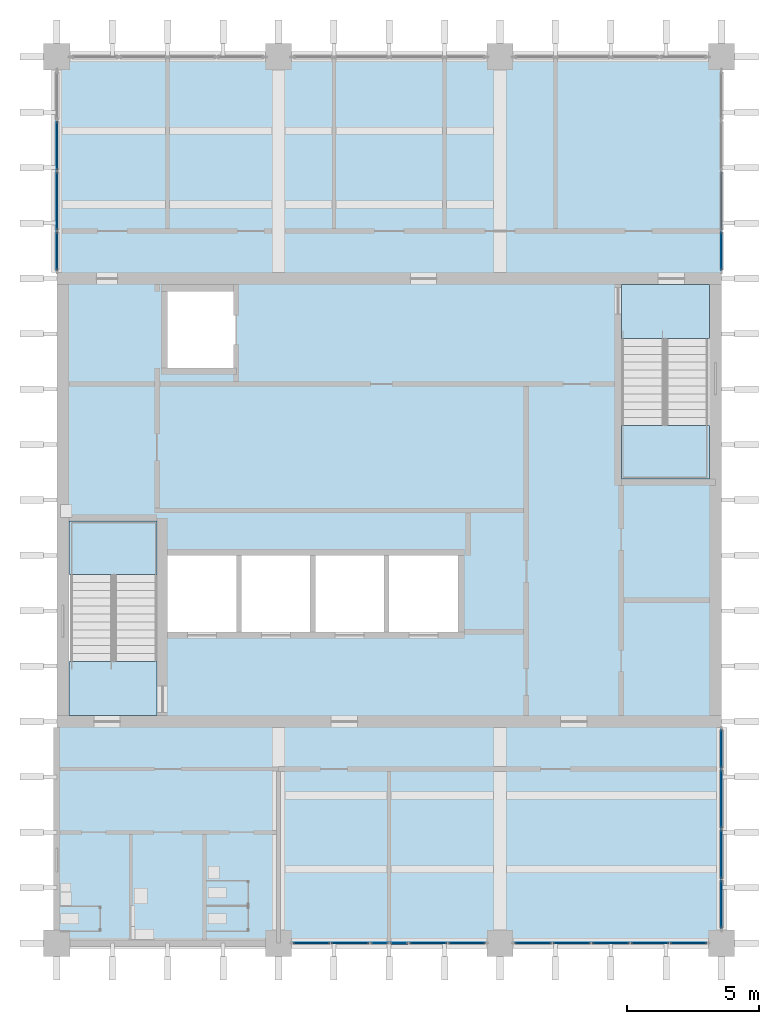
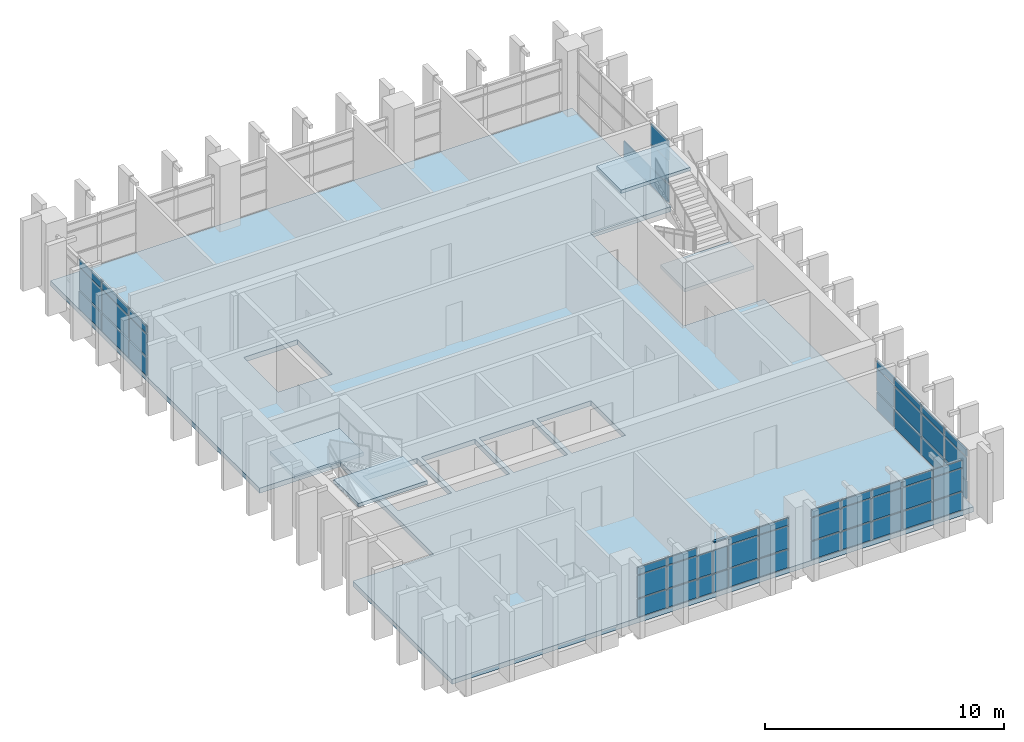
# One storey, part 5 of 11: 56 plates, 5 slabs, 1 member, 7 elements without a shape of their own.
"""IFC4 building model written with IfcOpenShell, lengths in metres."""

from ifc_helpers import new_model, si_unit, direction, frame, origin, origin_2d, place, context, subcontext, project, spatial, polyline, rectangle, outline, extrude, material, layer, layer_set, material_profile, profile_set, type_object, element, aggregate, save


model = new_model("IFC4")

# Units and contexts
model_context = context("Model", 3, precision=1e-05, world=origin(), true_north=direction((0.0, 1.0)))
body_context = subcontext(model_context, "Body", "Model", "MODEL_VIEW")
ifc_project = project(units=[si_unit("LENGTHUNIT", "METRE"), si_unit("AREAUNIT", "SQUARE_METRE"), si_unit("VOLUMEUNIT", "CUBIC_METRE"), si_unit("PLANEANGLEUNIT", "RADIAN"), si_unit("MASSUNIT", "GRAM", prefix="KILO")], contexts=[model_context])

# Site, building, storey
site_placement = place(None, origin())
site = spatial("IfcSite", under=ifc_project, at=site_placement, CompositionType="ELEMENT")
building_placement = place(site_placement, origin())
building = spatial("IfcBuilding", under=site, at=building_placement, Name="Rulbaag Community and Learning Centre", CompositionType="ELEMENT")
storey_placement = place(building_placement, frame((0.0, 0.0, 21.60009765625)))
storey = spatial("IfcBuildingStorey", under=building, at=storey_placement, Name="L05", CompositionType="ELEMENT", Elevation=21.60009765625)

# Curtain wall, member, plates
ifc_material_1 = material(Name="Aluminium", Category="aluminium")
ifc_layer_1 = layer(ifc_material_1, 0.14990234375)
ifc_layer_set_1 = layer_set([ifc_layer_1], Name="CW-S")
curtain_wall_type_1 = type_object("IfcCurtainWallType", Name="CW-S", PredefinedType="USERDEFINED", material=ifc_layer_set_1)
curtain_wall_1_placement = place(storey_placement, origin())
curtain_wall_1 = element("IfcCurtainWall", 1, at=curtain_wall_1_placement, inside=storey, type_object=curtain_wall_type_1, Name="GS-L05-01", ObjectType="UNITISED CURTAIN WALL", PredefinedType="USERDEFINED")
ifc_material_2 = material(Name="Aluminium transom", Category="aluminium")
ifc_material_profile = material_profile(ifc_material_2, rectangle(XDim=0.125, YDim=0.06005859375, at=origin_2d()), Name="AL 60x125 T")
ifc_profile_set = profile_set([ifc_material_profile], Name="Aluminium transom")
member_type = type_object("IfcMemberType", Name="CW-S-TRN", PredefinedType="USERDEFINED", material=ifc_profile_set)
member_placement = place(storey_placement, frame((155.429931640625, 84.0, 2.619873046875), z_axis=(1.0, 0.0, 0.0), x_axis=(0.0, 1.0, 0.0)))
member = element("IfcMember", 2, at=member_placement, type_object=member_type, Name="GS transom 4.4", ObjectType="TRANSOM", PredefinedType="USERDEFINED", context=body_context, shape_type="SweptSolid", body=[
    extrude(rectangle(XDim=0.125, YDim=0.06005859375, at=origin_2d()), origin(), (0.0, 0.0, 1.0), 0.68017578125),
])
ifc_layer_2 = layer(ifc_material_1, 0.054931640625)
ifc_layer_set_2 = layer_set([ifc_layer_2], Name="CW-S-SPN")
plate_type_1 = type_object("IfcPlateType", Name="CW-S-SPN", PredefinedType="CURTAIN_PANEL", material=ifc_layer_set_2)
plate_1_placement = place(storey_placement, frame((152.455078125, 84.0, 0.06005859375), z_axis=(0.0, 0.0, 1.0), x_axis=(1.0, 0.0, 0.0)))
plate_1 = element("IfcPlate", 3, at=plate_1_placement, type_object=plate_type_1, Name="GS spandrel panel", PredefinedType="CURTAIN_PANEL", context=body_context, shape_type="SweptSolid", body=[
    extrude(rectangle(XDim=1.389892578125, YDim=0.054931640625, at=origin_2d()), origin(), (0.0, 0.0, 1.0), 0.909912109375),
])
plate_2_placement = place(storey_placement, frame((152.455078125, 84.0, 2.22998046875), z_axis=(0.0, 0.0, 1.0), x_axis=(1.0, 0.0, 0.0)))
plate_2 = element("IfcPlate", 4, at=plate_2_placement, type_object=plate_type_1, Name="GS spandrel panel", PredefinedType="CURTAIN_PANEL", context=body_context, shape_type="SweptSolid", body=[
    extrude(rectangle(XDim=1.389892578125, YDim=0.054931640625, at=origin_2d()), origin(), (0.0, 0.0, 1.0), 0.360107421875),
])
plate_3_placement = place(storey_placement, frame((153.919921875, 84.0, 0.06005859375), z_axis=(0.0, 0.0, 1.0), x_axis=(1.0, 0.0, 0.0)))
plate_3 = element("IfcPlate", 5, at=plate_3_placement, type_object=plate_type_1, Name="GS spandrel panel", PredefinedType="CURTAIN_PANEL", context=body_context, shape_type="SweptSolid", body=[
    extrude(rectangle(XDim=1.419921875, YDim=0.054931640625, at=origin_2d()), origin(), (0.0, 0.0, 1.0), 0.909912109375),
])
plate_4_placement = place(storey_placement, frame((153.919921875, 84.0, 2.22998046875), z_axis=(0.0, 0.0, 1.0), x_axis=(1.0, 0.0, 0.0)))
plate_4 = element("IfcPlate", 6, at=plate_4_placement, type_object=plate_type_1, Name="GS spandrel panel", PredefinedType="CURTAIN_PANEL", context=body_context, shape_type="SweptSolid", body=[
    extrude(rectangle(XDim=1.419921875, YDim=0.054931640625, at=origin_2d()), origin(), (0.0, 0.0, 1.0), 0.360107421875),
])
plate_5_placement = place(storey_placement, frame((155.030029296875, 84.0, 0.06005859375), z_axis=(0.0, 0.0, 1.0), x_axis=(1.0, 0.0, 0.0)))
plate_5 = element("IfcPlate", 7, at=plate_5_placement, type_object=plate_type_1, Name="GS spandrel panel", PredefinedType="CURTAIN_PANEL", context=body_context, shape_type="SweptSolid", body=[
    extrude(rectangle(XDim=0.679931640625, YDim=0.054931640625, at=origin_2d()), origin(), (0.0, 0.0, 1.0), 0.909912109375),
])
plate_6_placement = place(storey_placement, frame((155.77001953125, 84.0, 0.06005859375), z_axis=(0.0, 0.0, 1.0), x_axis=(1.0, 0.0, 0.0)))
plate_6 = element("IfcPlate", 8, at=plate_6_placement, type_object=plate_type_1, Name="GS spandrel panel", PredefinedType="CURTAIN_PANEL", context=body_context, shape_type="SweptSolid", body=[
    extrude(rectangle(XDim=0.679931640625, YDim=0.054931640625, at=origin_2d()), origin(), (0.0, 0.0, 1.0), 0.909912109375),
])
plate_7_placement = place(storey_placement, frame((156.8798828125, 84.0, 0.06005859375), z_axis=(0.0, 0.0, 1.0), x_axis=(1.0, 0.0, 0.0)))
plate_7 = element("IfcPlate", 9, at=plate_7_placement, type_object=plate_type_1, Name="GS spandrel panel", PredefinedType="CURTAIN_PANEL", context=body_context, shape_type="SweptSolid", body=[
    extrude(rectangle(XDim=1.419921875, YDim=0.054931640625, at=origin_2d()), origin(), (0.0, 0.0, 1.0), 0.909912109375),
])
plate_8_placement = place(storey_placement, frame((156.8798828125, 84.0, 2.22998046875), z_axis=(0.0, 0.0, 1.0), x_axis=(1.0, 0.0, 0.0)))
plate_8 = element("IfcPlate", 10, at=plate_8_placement, type_object=plate_type_1, Name="GS spandrel panel", PredefinedType="CURTAIN_PANEL", context=body_context, shape_type="SweptSolid", body=[
    extrude(rectangle(XDim=1.419921875, YDim=0.054931640625, at=origin_2d()), origin(), (0.0, 0.0, 1.0), 0.360107421875),
])
plate_9_placement = place(storey_placement, frame((158.344970703125, 84.0, 0.06005859375), z_axis=(0.0, 0.0, 1.0), x_axis=(1.0, 0.0, 0.0)))
plate_9 = element("IfcPlate", 11, at=plate_9_placement, type_object=plate_type_1, Name="GS spandrel panel", PredefinedType="CURTAIN_PANEL", context=body_context, shape_type="SweptSolid", body=[
    extrude(rectangle(XDim=1.389892578125, YDim=0.054931640625, at=origin_2d()), origin(), (0.0, 0.0, 1.0), 0.909912109375),
])
plate_10_placement = place(storey_placement, frame((158.344970703125, 84.0, 2.22998046875), z_axis=(0.0, 0.0, 1.0), x_axis=(1.0, 0.0, 0.0)))
plate_10 = element("IfcPlate", 12, at=plate_10_placement, type_object=plate_type_1, Name="GS spandrel panel", PredefinedType="CURTAIN_PANEL", context=body_context, shape_type="SweptSolid", body=[
    extrude(rectangle(XDim=1.389892578125, YDim=0.054931640625, at=origin_2d()), origin(), (0.0, 0.0, 1.0), 0.360107421875),
])

# Curtain wall, plates
curtain_wall_2_placement = place(storey_placement, origin())
curtain_wall_2 = element("IfcCurtainWall", 13, at=curtain_wall_2_placement, inside=storey, type_object=curtain_wall_type_1, Name="GS-L05-02", ObjectType="UNITISED CURTAIN WALL", PredefinedType="USERDEFINED")
plate_11_placement = place(storey_placement, frame((160.85498046875, 84.0, 0.06005859375), z_axis=(0.0, 0.0, 1.0), x_axis=(1.0, 0.0, 0.0)))
plate_11 = element("IfcPlate", 14, at=plate_11_placement, type_object=plate_type_1, Name="GS spandrel panel", PredefinedType="CURTAIN_PANEL", context=body_context, shape_type="SweptSolid", body=[
    extrude(rectangle(XDim=1.389892578125, YDim=0.054931640625, at=origin_2d()), origin(), (0.0, 0.0, 1.0), 0.909912109375),
])
plate_12_placement = place(storey_placement, frame((160.85498046875, 84.0, 2.22998046875), z_axis=(0.0, 0.0, 1.0), x_axis=(1.0, 0.0, 0.0)))
plate_12 = element("IfcPlate", 15, at=plate_12_placement, type_object=plate_type_1, Name="GS spandrel panel", PredefinedType="CURTAIN_PANEL", context=body_context, shape_type="SweptSolid", body=[
    extrude(rectangle(XDim=1.389892578125, YDim=0.054931640625, at=origin_2d()), origin(), (0.0, 0.0, 1.0), 0.360107421875),
])
plate_13_placement = place(storey_placement, frame((162.320068359375, 84.0, 0.06005859375), z_axis=(0.0, 0.0, 1.0), x_axis=(1.0, 0.0, 0.0)))
plate_13 = element("IfcPlate", 16, at=plate_13_placement, type_object=plate_type_1, Name="GS spandrel panel", PredefinedType="CURTAIN_PANEL", context=body_context, shape_type="SweptSolid", body=[
    extrude(rectangle(XDim=1.419921875, YDim=0.054931640625, at=origin_2d()), origin(), (0.0, 0.0, 1.0), 0.909912109375),
])
plate_14_placement = place(storey_placement, frame((162.320068359375, 84.0, 2.22998046875), z_axis=(0.0, 0.0, 1.0), x_axis=(1.0, 0.0, 0.0)))
plate_14 = element("IfcPlate", 17, at=plate_14_placement, type_object=plate_type_1, Name="GS spandrel panel", PredefinedType="CURTAIN_PANEL", context=body_context, shape_type="SweptSolid", body=[
    extrude(rectangle(XDim=1.419921875, YDim=0.054931640625, at=origin_2d()), origin(), (0.0, 0.0, 1.0), 0.360107421875),
])
plate_15_placement = place(storey_placement, frame((163.800048828125, 84.0, 0.06005859375), z_axis=(0.0, 0.0, 1.0), x_axis=(1.0, 0.0, 0.0)))
plate_15 = element("IfcPlate", 18, at=plate_15_placement, type_object=plate_type_1, Name="GS spandrel panel", PredefinedType="CURTAIN_PANEL", context=body_context, shape_type="SweptSolid", body=[
    extrude(rectangle(XDim=1.419921875, YDim=0.054931640625, at=origin_2d()), origin(), (0.0, 0.0, 1.0), 0.909912109375),
])
plate_16_placement = place(storey_placement, frame((163.800048828125, 84.0, 2.22998046875), z_axis=(0.0, 0.0, 1.0), x_axis=(1.0, 0.0, 0.0)))
plate_16 = element("IfcPlate", 19, at=plate_16_placement, type_object=plate_type_1, Name="GS spandrel panel", PredefinedType="CURTAIN_PANEL", context=body_context, shape_type="SweptSolid", body=[
    extrude(rectangle(XDim=1.419921875, YDim=0.054931640625, at=origin_2d()), origin(), (0.0, 0.0, 1.0), 0.360107421875),
])
plate_17_placement = place(storey_placement, frame((165.280029296875, 84.0, 0.06005859375), z_axis=(0.0, 0.0, 1.0), x_axis=(1.0, 0.0, 0.0)))
plate_17 = element("IfcPlate", 20, at=plate_17_placement, type_object=plate_type_1, Name="GS spandrel panel", PredefinedType="CURTAIN_PANEL", context=body_context, shape_type="SweptSolid", body=[
    extrude(rectangle(XDim=1.419921875, YDim=0.054931640625, at=origin_2d()), origin(), (0.0, 0.0, 1.0), 0.909912109375),
])
plate_18_placement = place(storey_placement, frame((165.280029296875, 84.0, 2.22998046875), z_axis=(0.0, 0.0, 1.0), x_axis=(1.0, 0.0, 0.0)))
plate_18 = element("IfcPlate", 21, at=plate_18_placement, type_object=plate_type_1, Name="GS spandrel panel", PredefinedType="CURTAIN_PANEL", context=body_context, shape_type="SweptSolid", body=[
    extrude(rectangle(XDim=1.419921875, YDim=0.054931640625, at=origin_2d()), origin(), (0.0, 0.0, 1.0), 0.360107421875),
])
plate_19_placement = place(storey_placement, frame((166.7451171875, 84.0, 0.06005859375), z_axis=(0.0, 0.0, 1.0), x_axis=(1.0, 0.0, 0.0)))
plate_19 = element("IfcPlate", 22, at=plate_19_placement, type_object=plate_type_1, Name="GS spandrel panel", PredefinedType="CURTAIN_PANEL", context=body_context, shape_type="SweptSolid", body=[
    extrude(rectangle(XDim=1.389892578125, YDim=0.054931640625, at=origin_2d()), origin(), (0.0, 0.0, 1.0), 0.909912109375),
])
plate_20_placement = place(storey_placement, frame((166.7451171875, 84.0, 2.22998046875), z_axis=(0.0, 0.0, 1.0), x_axis=(1.0, 0.0, 0.0)))
plate_20 = element("IfcPlate", 23, at=plate_20_placement, type_object=plate_type_1, Name="GS spandrel panel", PredefinedType="CURTAIN_PANEL", context=body_context, shape_type="SweptSolid", body=[
    extrude(rectangle(XDim=1.389892578125, YDim=0.054931640625, at=origin_2d()), origin(), (0.0, 0.0, 1.0), 0.360107421875),
])

# Plate
ifc_material_3 = material(Name="Glass", Category="glass")
ifc_layer_3 = layer(ifc_material_3, 0.030029296875)
ifc_layer_set_3 = layer_set([ifc_layer_3], Name="CW-S-VIS")
plate_type_2 = type_object("IfcPlateType", Name="CW-S-VIS", PredefinedType="CURTAIN_PANEL", material=ifc_layer_set_3)
plate_21_placement = place(storey_placement, frame((152.455078125, 84.0, 1.02978515625), z_axis=(0.0, 0.0, 1.0), x_axis=(1.0, 0.0, 0.0)))
plate_21 = element("IfcPlate", 24, at=plate_21_placement, type_object=plate_type_2, Name="GS vision panel", PredefinedType="CURTAIN_PANEL", context=body_context, shape_type="SweptSolid", body=[
    extrude(rectangle(XDim=1.389892578125, YDim=0.030029296875, at=origin_2d()), origin(), (0.0, 0.0, 1.0), 1.139892578125),
])

plate_22_placement = place(storey_placement, frame((153.919921875, 84.0, 1.02978515625), z_axis=(0.0, 0.0, 1.0), x_axis=(1.0, 0.0, 0.0)))
plate_22 = element("IfcPlate", 25, at=plate_22_placement, type_object=plate_type_2, Name="GS vision panel", PredefinedType="CURTAIN_PANEL", context=body_context, shape_type="SweptSolid", body=[
    extrude(rectangle(XDim=1.419921875, YDim=0.030029296875, at=origin_2d()), origin(), (0.0, 0.0, 1.0), 1.139892578125),
])

plate_23_placement = place(storey_placement, frame((155.030029296875, 84.0, 1.02978515625), z_axis=(0.0, 0.0, 1.0), x_axis=(1.0, 0.0, 0.0)))
plate_23 = element("IfcPlate", 26, at=plate_23_placement, type_object=plate_type_2, Name="GS vision panel", PredefinedType="CURTAIN_PANEL", context=body_context, shape_type="SweptSolid", body=[
    extrude(rectangle(XDim=0.679931640625, YDim=0.030029296875, at=origin_2d()), origin(), (0.0, 0.0, 1.0), 1.139892578125),
])

plate_24_placement = place(storey_placement, frame((155.77001953125, 84.0, 1.02978515625), z_axis=(0.0, 0.0, 1.0), x_axis=(1.0, 0.0, 0.0)))
plate_24 = element("IfcPlate", 27, at=plate_24_placement, type_object=plate_type_2, Name="GS vision panel", PredefinedType="CURTAIN_PANEL", context=body_context, shape_type="SweptSolid", body=[
    extrude(rectangle(XDim=0.679931640625, YDim=0.030029296875, at=origin_2d()), origin(), (0.0, 0.0, 1.0), 1.139892578125),
])

plate_25_placement = place(storey_placement, frame((156.8798828125, 84.0, 1.02978515625), z_axis=(0.0, 0.0, 1.0), x_axis=(1.0, 0.0, 0.0)))
plate_25 = element("IfcPlate", 28, at=plate_25_placement, type_object=plate_type_2, Name="GS vision panel", PredefinedType="CURTAIN_PANEL", context=body_context, shape_type="SweptSolid", body=[
    extrude(rectangle(XDim=1.419921875, YDim=0.030029296875, at=origin_2d()), origin(), (0.0, 0.0, 1.0), 1.139892578125),
])

plate_26_placement = place(storey_placement, frame((158.344970703125, 84.0, 1.02978515625), z_axis=(0.0, 0.0, 1.0), x_axis=(1.0, 0.0, 0.0)))
plate_26 = element("IfcPlate", 29, at=plate_26_placement, type_object=plate_type_2, Name="GS vision panel", PredefinedType="CURTAIN_PANEL", context=body_context, shape_type="SweptSolid", body=[
    extrude(rectangle(XDim=1.389892578125, YDim=0.030029296875, at=origin_2d()), origin(), (0.0, 0.0, 1.0), 1.139892578125),
])

aggregate(curtain_wall_1, [plate_1, plate_21, plate_2, plate_3, plate_22, plate_4, plate_5, plate_23, member, plate_6, plate_24, plate_7, plate_25, plate_8, plate_9, plate_26, plate_10])

plate_27_placement = place(storey_placement, frame((160.85498046875, 84.0, 1.02978515625), z_axis=(0.0, 0.0, 1.0), x_axis=(1.0, 0.0, 0.0)))
plate_27 = element("IfcPlate", 30, at=plate_27_placement, type_object=plate_type_2, Name="GS vision panel", PredefinedType="CURTAIN_PANEL", context=body_context, shape_type="SweptSolid", body=[
    extrude(rectangle(XDim=1.389892578125, YDim=0.030029296875, at=origin_2d()), origin(), (0.0, 0.0, 1.0), 1.139892578125),
])

plate_28_placement = place(storey_placement, frame((162.320068359375, 84.0, 1.02978515625), z_axis=(0.0, 0.0, 1.0), x_axis=(1.0, 0.0, 0.0)))
plate_28 = element("IfcPlate", 31, at=plate_28_placement, type_object=plate_type_2, Name="GS vision panel", PredefinedType="CURTAIN_PANEL", context=body_context, shape_type="SweptSolid", body=[
    extrude(rectangle(XDim=1.419921875, YDim=0.030029296875, at=origin_2d()), origin(), (0.0, 0.0, 1.0), 1.139892578125),
])

plate_29_placement = place(storey_placement, frame((163.800048828125, 84.0, 1.02978515625), z_axis=(0.0, 0.0, 1.0), x_axis=(1.0, 0.0, 0.0)))
plate_29 = element("IfcPlate", 32, at=plate_29_placement, type_object=plate_type_2, Name="GS vision panel", PredefinedType="CURTAIN_PANEL", context=body_context, shape_type="SweptSolid", body=[
    extrude(rectangle(XDim=1.419921875, YDim=0.030029296875, at=origin_2d()), origin(), (0.0, 0.0, 1.0), 1.139892578125),
])

plate_30_placement = place(storey_placement, frame((165.280029296875, 84.0, 1.02978515625), z_axis=(0.0, 0.0, 1.0), x_axis=(1.0, 0.0, 0.0)))
plate_30 = element("IfcPlate", 33, at=plate_30_placement, type_object=plate_type_2, Name="GS vision panel", PredefinedType="CURTAIN_PANEL", context=body_context, shape_type="SweptSolid", body=[
    extrude(rectangle(XDim=1.419921875, YDim=0.030029296875, at=origin_2d()), origin(), (0.0, 0.0, 1.0), 1.139892578125),
])

plate_31_placement = place(storey_placement, frame((166.7451171875, 84.0, 1.02978515625), z_axis=(0.0, 0.0, 1.0), x_axis=(1.0, 0.0, 0.0)))
plate_31 = element("IfcPlate", 34, at=plate_31_placement, type_object=plate_type_2, Name="GS vision panel", PredefinedType="CURTAIN_PANEL", context=body_context, shape_type="SweptSolid", body=[
    extrude(rectangle(XDim=1.389892578125, YDim=0.030029296875, at=origin_2d()), origin(), (0.0, 0.0, 1.0), 1.139892578125),
])

aggregate(curtain_wall_2, [plate_11, plate_27, plate_12, plate_13, plate_28, plate_14, plate_15, plate_29, plate_16, plate_17, plate_30, plate_18, plate_19, plate_31, plate_20])

# Curtain wall, plates
ifc_layer_4 = layer(ifc_material_1, 0.14990234375)
ifc_layer_set_4 = layer_set([ifc_layer_4], Name="CW-T")
curtain_wall_type_2 = type_object("IfcCurtainWallType", Name="CW-T", PredefinedType="USERDEFINED", material=ifc_layer_set_4)
curtain_wall_3_placement = place(storey_placement, origin())
curtain_wall_3 = element("IfcCurtainWall", 35, at=curtain_wall_3_placement, inside=storey, type_object=curtain_wall_type_2, Name="GT-L05-04", ObjectType="UNITISED CURTAIN WALL", PredefinedType="USERDEFINED")
ifc_layer_5 = layer(ifc_material_1, 0.06005859375)
ifc_layer_set_5 = layer_set([ifc_layer_5], Name="CW-T-SPN")
plate_type_3 = type_object("IfcPlateType", Name="CW-T-SPN", PredefinedType="CURTAIN_PANEL", material=ifc_layer_set_5)
plate_32_placement = place(storey_placement, frame((142.800048828125, 110.2412109375, 0.06494140625), z_axis=(0.0, 0.0, 1.0), x_axis=(0.0, 1.0, 0.0)))
plate_32 = element("IfcPlate", 36, at=plate_32_placement, type_object=plate_type_3, Name="GT spandrel panel", PredefinedType="CURTAIN_PANEL", context=body_context, shape_type="SweptSolid", body=[
    extrude(rectangle(XDim=1.452392578125, YDim=0.06005859375, at=origin_2d()), origin(), (0.0, 0.0, 1.0), 0.902587890625),
])
plate_33_placement = place(storey_placement, frame((142.800048828125, 110.2412109375, 2.232421875), z_axis=(0.0, 0.0, 1.0), x_axis=(0.0, 1.0, 0.0)))
plate_33 = element("IfcPlate", 37, at=plate_33_placement, type_object=plate_type_3, Name="GT spandrel panel", PredefinedType="CURTAIN_PANEL", context=body_context, shape_type="SweptSolid", body=[
    extrude(rectangle(XDim=1.452392578125, YDim=0.06005859375, at=origin_2d()), origin(), (0.0, 0.0, 1.0), 0.3525390625),
])
plate_34_placement = place(storey_placement, frame((142.800048828125, 112.137451171875, 0.06494140625), z_axis=(0.0, 0.0, 1.0), x_axis=(0.0, 1.0, 0.0)))
plate_34 = element("IfcPlate", 38, at=plate_34_placement, type_object=plate_type_3, Name="GT spandrel panel", PredefinedType="CURTAIN_PANEL", context=body_context, shape_type="SweptSolid", body=[
    extrude(rectangle(XDim=2.2099609375, YDim=0.06005859375, at=origin_2d()), origin(), (0.0, 0.0, 1.0), 0.902587890625),
])
plate_35_placement = place(storey_placement, frame((142.800048828125, 112.137451171875, 2.232421875), z_axis=(0.0, 0.0, 1.0), x_axis=(0.0, 1.0, 0.0)))
plate_35 = element("IfcPlate", 39, at=plate_35_placement, type_object=plate_type_3, Name="GT spandrel panel", PredefinedType="CURTAIN_PANEL", context=body_context, shape_type="SweptSolid", body=[
    extrude(rectangle(XDim=2.2099609375, YDim=0.06005859375, at=origin_2d()), origin(), (0.0, 0.0, 1.0), 0.3525390625),
])
plate_36_placement = place(storey_placement, frame((142.800048828125, 114.231201171875, 0.06494140625), z_axis=(0.0, 0.0, 1.0), x_axis=(0.0, 1.0, 0.0)))
plate_36 = element("IfcPlate", 40, at=plate_36_placement, type_object=plate_type_3, Name="GT spandrel panel", PredefinedType="CURTAIN_PANEL", context=body_context, shape_type="SweptSolid", body=[
    extrude(rectangle(XDim=1.847412109375, YDim=0.06005859375, at=origin_2d()), origin(), (0.0, 0.0, 1.0), 0.902587890625),
])
plate_37_placement = place(storey_placement, frame((142.800048828125, 114.231201171875, 2.232421875), z_axis=(0.0, 0.0, 1.0), x_axis=(0.0, 1.0, 0.0)))
plate_37 = element("IfcPlate", 41, at=plate_37_placement, type_object=plate_type_3, Name="GT spandrel panel", PredefinedType="CURTAIN_PANEL", context=body_context, shape_type="SweptSolid", body=[
    extrude(rectangle(XDim=1.847412109375, YDim=0.06005859375, at=origin_2d()), origin(), (0.0, 0.0, 1.0), 0.3525390625),
])

curtain_wall_4_placement = place(storey_placement, origin())
curtain_wall_4 = element("IfcCurtainWall", 42, at=curtain_wall_4_placement, inside=storey, type_object=curtain_wall_type_2, Name="GT-L05-05", ObjectType="UNITISED CURTAIN WALL", PredefinedType="USERDEFINED")
plate_38_placement = place(storey_placement, frame((168.0, 85.472412109375, 0.06494140625), z_axis=(0.0, 0.0, 1.0), x_axis=(0.0, 1.0, 0.0)))
plate_38 = element("IfcPlate", 43, at=plate_38_placement, type_object=plate_type_3, Name="GT spandrel panel", PredefinedType="CURTAIN_PANEL", context=body_context, shape_type="SweptSolid", body=[
    extrude(rectangle(XDim=1.81494140625, YDim=0.06005859375, at=origin_2d()), origin(), (0.0, 0.0, 1.0), 0.902587890625),
])
plate_39_placement = place(storey_placement, frame((168.0, 85.472412109375, 2.232421875), z_axis=(0.0, 0.0, 1.0), x_axis=(0.0, 1.0, 0.0)))
plate_39 = element("IfcPlate", 44, at=plate_39_placement, type_object=plate_type_3, Name="GT spandrel panel", PredefinedType="CURTAIN_PANEL", context=body_context, shape_type="SweptSolid", body=[
    extrude(rectangle(XDim=1.81494140625, YDim=0.06005859375, at=origin_2d()), origin(), (0.0, 0.0, 1.0), 0.3525390625),
])
plate_40_placement = place(storey_placement, frame((168.0, 87.36865234375, 0.06494140625), z_axis=(0.0, 0.0, 1.0), x_axis=(0.0, 1.0, 0.0)))
plate_40 = element("IfcPlate", 45, at=plate_40_placement, type_object=plate_type_3, Name="GT spandrel panel", PredefinedType="CURTAIN_PANEL", context=body_context, shape_type="SweptSolid", body=[
    extrude(rectangle(XDim=1.847412109375, YDim=0.06005859375, at=origin_2d()), origin(), (0.0, 0.0, 1.0), 0.902587890625),
])
plate_41_placement = place(storey_placement, frame((168.0, 87.36865234375, 2.232421875), z_axis=(0.0, 0.0, 1.0), x_axis=(0.0, 1.0, 0.0)))
plate_41 = element("IfcPlate", 46, at=plate_41_placement, type_object=plate_type_3, Name="GT spandrel panel", PredefinedType="CURTAIN_PANEL", context=body_context, shape_type="SweptSolid", body=[
    extrude(rectangle(XDim=1.847412109375, YDim=0.06005859375, at=origin_2d()), origin(), (0.0, 0.0, 1.0), 0.3525390625),
])
plate_42_placement = place(storey_placement, frame((168.0, 89.46240234375, 0.06494140625), z_axis=(0.0, 0.0, 1.0), x_axis=(0.0, 1.0, 0.0)))
plate_42 = element("IfcPlate", 47, at=plate_42_placement, type_object=plate_type_3, Name="GT spandrel panel", PredefinedType="CURTAIN_PANEL", context=body_context, shape_type="SweptSolid", body=[
    extrude(rectangle(XDim=2.2099609375, YDim=0.06005859375, at=origin_2d()), origin(), (0.0, 0.0, 1.0), 0.902587890625),
])
plate_43_placement = place(storey_placement, frame((168.0, 89.46240234375, 2.232421875), z_axis=(0.0, 0.0, 1.0), x_axis=(0.0, 1.0, 0.0)))
plate_43 = element("IfcPlate", 48, at=plate_43_placement, type_object=plate_type_3, Name="GT spandrel panel", PredefinedType="CURTAIN_PANEL", context=body_context, shape_type="SweptSolid", body=[
    extrude(rectangle(XDim=2.2099609375, YDim=0.06005859375, at=origin_2d()), origin(), (0.0, 0.0, 1.0), 0.3525390625),
])
plate_44_placement = place(storey_placement, frame((168.0, 91.358642578125, 0.06494140625), z_axis=(0.0, 0.0, 1.0), x_axis=(0.0, 1.0, 0.0)))
plate_44 = element("IfcPlate", 49, at=plate_44_placement, type_object=plate_type_3, Name="GT spandrel panel", PredefinedType="CURTAIN_PANEL", context=body_context, shape_type="SweptSolid", body=[
    extrude(rectangle(XDim=1.452392578125, YDim=0.06005859375, at=origin_2d()), origin(), (0.0, 0.0, 1.0), 0.902587890625),
])
plate_45_placement = place(storey_placement, frame((168.0, 91.358642578125, 2.232421875), z_axis=(0.0, 0.0, 1.0), x_axis=(0.0, 1.0, 0.0)))
plate_45 = element("IfcPlate", 50, at=plate_45_placement, type_object=plate_type_3, Name="GT spandrel panel", PredefinedType="CURTAIN_PANEL", context=body_context, shape_type="SweptSolid", body=[
    extrude(rectangle(XDim=1.452392578125, YDim=0.06005859375, at=origin_2d()), origin(), (0.0, 0.0, 1.0), 0.3525390625),
])

curtain_wall_5_placement = place(storey_placement, origin())
curtain_wall_5 = element("IfcCurtainWall", 51, at=curtain_wall_5_placement, inside=storey, type_object=curtain_wall_type_2, Name="GT-L05-06", ObjectType="UNITISED CURTAIN WALL", PredefinedType="USERDEFINED")
plate_46_placement = place(storey_placement, frame((168.0, 110.2412109375, 0.06494140625), z_axis=(0.0, 0.0, 1.0), x_axis=(0.0, 1.0, 0.0)))
plate_46 = element("IfcPlate", 52, at=plate_46_placement, type_object=plate_type_3, Name="GT spandrel panel", PredefinedType="CURTAIN_PANEL", context=body_context, shape_type="SweptSolid", body=[
    extrude(rectangle(XDim=1.452392578125, YDim=0.06005859375, at=origin_2d()), origin(), (0.0, 0.0, 1.0), 0.902587890625),
])
plate_47_placement = place(storey_placement, frame((168.0, 110.2412109375, 2.232421875), z_axis=(0.0, 0.0, 1.0), x_axis=(0.0, 1.0, 0.0)))
plate_47 = element("IfcPlate", 53, at=plate_47_placement, type_object=plate_type_3, Name="GT spandrel panel", PredefinedType="CURTAIN_PANEL", context=body_context, shape_type="SweptSolid", body=[
    extrude(rectangle(XDim=1.452392578125, YDim=0.06005859375, at=origin_2d()), origin(), (0.0, 0.0, 1.0), 1.00244140625),
])
plate_48_placement = place(storey_placement, frame((168.0, 112.137451171875, 0.06494140625), z_axis=(0.0, 0.0, 1.0), x_axis=(0.0, 1.0, 0.0)))
plate_48 = element("IfcPlate", 54, at=plate_48_placement, type_object=plate_type_3, Name="GT spandrel panel", PredefinedType="CURTAIN_PANEL", context=body_context, shape_type="SweptSolid", body=[
    extrude(rectangle(XDim=2.2099609375, YDim=0.06005859375, at=origin_2d()), origin(), (0.0, 0.0, 1.0), 0.902587890625),
])

# Plate
ifc_layer_6 = layer(ifc_material_3, 0.028076171875)
ifc_layer_set_6 = layer_set([ifc_layer_6], Name="CW-T-VIS")
plate_type_4 = type_object("IfcPlateType", Name="CW-T-VIS", PredefinedType="CURTAIN_PANEL", material=ifc_layer_set_6)
plate_49_placement = place(storey_placement, frame((142.800048828125, 110.2412109375, 1.0322265625), z_axis=(0.0, 0.0, 1.0), x_axis=(0.0, 1.0, 0.0)))
plate_49 = element("IfcPlate", 55, at=plate_49_placement, type_object=plate_type_4, Name="GT vision panel", PredefinedType="CURTAIN_PANEL", context=body_context, shape_type="SweptSolid", body=[
    extrude(rectangle(XDim=1.452392578125, YDim=0.028076171875, at=origin_2d()), origin(), (0.0, 0.0, 1.0), 1.135009765625),
])

plate_50_placement = place(storey_placement, frame((142.800048828125, 112.137451171875, 1.0322265625), z_axis=(0.0, 0.0, 1.0), x_axis=(0.0, 1.0, 0.0)))
plate_50 = element("IfcPlate", 56, at=plate_50_placement, type_object=plate_type_4, Name="GT vision panel", PredefinedType="CURTAIN_PANEL", context=body_context, shape_type="SweptSolid", body=[
    extrude(rectangle(XDim=2.2099609375, YDim=0.028076171875, at=origin_2d()), origin(), (0.0, 0.0, 1.0), 1.135009765625),
])

plate_51_placement = place(storey_placement, frame((142.800048828125, 114.231201171875, 1.0322265625), z_axis=(0.0, 0.0, 1.0), x_axis=(0.0, 1.0, 0.0)))
plate_51 = element("IfcPlate", 57, at=plate_51_placement, type_object=plate_type_4, Name="GT vision panel", PredefinedType="CURTAIN_PANEL", context=body_context, shape_type="SweptSolid", body=[
    extrude(rectangle(XDim=1.847412109375, YDim=0.028076171875, at=origin_2d()), origin(), (0.0, 0.0, 1.0), 1.135009765625),
])

aggregate(curtain_wall_3, [plate_32, plate_49, plate_33, plate_34, plate_50, plate_35, plate_36, plate_51, plate_37])

plate_52_placement = place(storey_placement, frame((168.0, 85.472412109375, 1.0322265625), z_axis=(0.0, 0.0, 1.0), x_axis=(0.0, 1.0, 0.0)))
plate_52 = element("IfcPlate", 58, at=plate_52_placement, type_object=plate_type_4, Name="GT vision panel", PredefinedType="CURTAIN_PANEL", context=body_context, shape_type="SweptSolid", body=[
    extrude(rectangle(XDim=1.81494140625, YDim=0.028076171875, at=origin_2d()), origin(), (0.0, 0.0, 1.0), 1.135009765625),
])

plate_53_placement = place(storey_placement, frame((168.0, 87.36865234375, 1.0322265625), z_axis=(0.0, 0.0, 1.0), x_axis=(0.0, 1.0, 0.0)))
plate_53 = element("IfcPlate", 59, at=plate_53_placement, type_object=plate_type_4, Name="GT vision panel", PredefinedType="CURTAIN_PANEL", context=body_context, shape_type="SweptSolid", body=[
    extrude(rectangle(XDim=1.847412109375, YDim=0.028076171875, at=origin_2d()), origin(), (0.0, 0.0, 1.0), 1.135009765625),
])

plate_54_placement = place(storey_placement, frame((168.0, 89.46240234375, 1.0322265625), z_axis=(0.0, 0.0, 1.0), x_axis=(0.0, 1.0, 0.0)))
plate_54 = element("IfcPlate", 60, at=plate_54_placement, type_object=plate_type_4, Name="GT vision panel", PredefinedType="CURTAIN_PANEL", context=body_context, shape_type="SweptSolid", body=[
    extrude(rectangle(XDim=2.2099609375, YDim=0.028076171875, at=origin_2d()), origin(), (0.0, 0.0, 1.0), 1.135009765625),
])

plate_55_placement = place(storey_placement, frame((168.0, 91.358642578125, 1.0322265625), z_axis=(0.0, 0.0, 1.0), x_axis=(0.0, 1.0, 0.0)))
plate_55 = element("IfcPlate", 61, at=plate_55_placement, type_object=plate_type_4, Name="GT vision panel", PredefinedType="CURTAIN_PANEL", context=body_context, shape_type="SweptSolid", body=[
    extrude(rectangle(XDim=1.452392578125, YDim=0.028076171875, at=origin_2d()), origin(), (0.0, 0.0, 1.0), 1.135009765625),
])

aggregate(curtain_wall_4, [plate_38, plate_52, plate_39, plate_40, plate_53, plate_41, plate_42, plate_54, plate_43, plate_44, plate_55, plate_45])

plate_56_placement = place(storey_placement, frame((168.0, 110.2412109375, 1.0322265625), z_axis=(0.0, 0.0, 1.0), x_axis=(0.0, 1.0, 0.0)))
plate_56 = element("IfcPlate", 62, at=plate_56_placement, type_object=plate_type_4, Name="GT vision panel", PredefinedType="CURTAIN_PANEL", context=body_context, shape_type="SweptSolid", body=[
    extrude(rectangle(XDim=1.452392578125, YDim=0.028076171875, at=origin_2d()), origin(), (0.0, 0.0, 1.0), 1.135009765625),
])

aggregate(curtain_wall_5, [plate_46, plate_56, plate_47, plate_48])

# Stair, slabs
ifc_material_4 = material(Name="Concrete M40", Category="concrete")
stair_type = type_object("IfcStairType", Name="ST-1650 STAIR 1650 WIDE", PredefinedType="HALF_TURN_STAIR", material=ifc_material_4)
stair_1_placement = place(storey_placement, origin())
stair_1 = element("IfcStair", 63, at=stair_1_placement, inside=storey, type_object=stair_type, Name="Stair ST1 L05", PredefinedType="HALF_TURN_STAIR")
ifc_layer_7 = layer(ifc_material_4, 0.179931640625)
ifc_layer_set_7 = layer_set([ifc_layer_7], Name="LN-180 LANDING 180 Concrete M40")
slab_type_1 = type_object("IfcSlabType", Name="LN-180 LANDING 180 Concrete M40", PredefinedType="LANDING", material=ifc_layer_set_7)
slab_1_placement = place(storey_placement, frame((0.0, 0.0, 1.619873046875)))
slab_1 = element("IfcSlab", 64, at=slab_1_placement, type_object=slab_type_1, Name="ST1 landing 1", PredefinedType="LANDING", context=body_context, shape_type="SweptSolid", body=[
    extrude(outline(polyline([(143.25, 97.97509765625), (143.25, 100.0), (146.60009765625, 100.0), (146.60009765625, 97.97509765625), (143.25, 97.97509765625)])), origin(), (0.0, 0.0, 1.0), 0.179931640625),
])
slab_2_placement = place(storey_placement, frame((0.0, 0.0, 3.419921875)))
slab_2 = element("IfcSlab", 65, at=slab_2_placement, type_object=slab_type_1, Name="ST1 landing 2", PredefinedType="LANDING", context=body_context, shape_type="SweptSolid", body=[
    extrude(outline(polyline([(143.25, 92.625), (143.25, 94.675048828125), (146.60009765625, 94.675048828125), (146.60009765625, 92.625), (143.25, 92.625)])), origin(), (0.0, 0.0, 1.0), 0.179931640625),
])
aggregate(stair_1, [slab_1, slab_2])

stair_2_placement = place(storey_placement, origin())
stair_2 = element("IfcStair", 66, at=stair_2_placement, inside=storey, type_object=stair_type, Name="Stair ST2 L05", PredefinedType="HALF_TURN_STAIR")
slab_3_placement = place(storey_placement, frame((0.0, 0.0, 1.619873046875)))
slab_3 = element("IfcSlab", 67, at=slab_3_placement, type_object=slab_type_1, Name="ST2 landing 1", PredefinedType="LANDING", context=body_context, shape_type="SweptSolid", body=[
    extrude(outline(polyline([(164.199951171875, 101.60009765625), (164.199951171875, 103.625), (167.550048828125, 103.625), (167.550048828125, 101.60009765625), (164.199951171875, 101.60009765625)])), origin(), (0.0, 0.0, 1.0), 0.179931640625),
])
slab_4_placement = place(storey_placement, frame((0.0, 0.0, 3.419921875)))
slab_4 = element("IfcSlab", 68, at=slab_4_placement, type_object=slab_type_1, Name="ST2 landing 2", PredefinedType="LANDING", context=body_context, shape_type="SweptSolid", body=[
    extrude(outline(polyline([(164.199951171875, 106.925048828125), (164.199951171875, 108.97509765625), (167.550048828125, 108.97509765625), (167.550048828125, 106.925048828125), (164.199951171875, 106.925048828125)])), origin(), (0.0, 0.0, 1.0), 0.179931640625),
])
aggregate(stair_2, [slab_3, slab_4])

# Slab
ifc_layer_8 = layer(ifc_material_4, 0.25)
ifc_layer_set_8 = layer_set([ifc_layer_8], Name="S10 Floor slab 250 Concrete M40")
slab_type_2 = type_object("IfcSlabType", Name="S10 Floor slab 250 Concrete M40", PredefinedType="FLOOR", material=ifc_layer_set_8)
slab_5_placement = place(storey_placement, frame((0.0, 0.0, -0.25)))
element("IfcSlab", 69, at=slab_5_placement, inside=storey, type_object=slab_type_2, Name="SL-L05-B01", PredefinedType="FLOOR", context=body_context, shape_type="SweptSolid", body=[
    extrude(outline(polyline([(168.0, 84.0), (142.800048828125, 84.0), (142.800048828125, 92.300048828125), (146.699951171875, 92.300048828125), (146.699951171875, 100.10009765625), (142.800048828125, 100.10009765625), (142.800048828125, 117.60009765625), (168.0, 117.60009765625), (168.0, 109.300048828125), (164.10009765625, 109.300048828125), (164.10009765625, 101.5), (168.0, 101.5), (168.0, 84.0)]), holes=[polyline([(147.0, 98.699951171875), (147.0, 95.800048828125), (149.60009765625, 95.800048828125), (149.60009765625, 98.699951171875), (147.0, 98.699951171875)]), polyline([(149.800048828125, 98.699951171875), (149.800048828125, 95.800048828125), (152.39990234375, 95.800048828125), (152.39990234375, 98.699951171875), (149.800048828125, 98.699951171875)]), polyline([(152.60009765625, 98.699951171875), (152.60009765625, 95.800048828125), (155.199951171875, 95.800048828125), (155.199951171875, 98.699951171875), (152.60009765625, 98.699951171875)]), polyline([(155.39990234375, 98.699951171875), (155.39990234375, 95.800048828125), (158.0, 95.800048828125), (158.0, 98.699951171875), (155.39990234375, 98.699951171875)]), polyline([(147.0, 108.699951171875), (147.0, 105.800048828125), (149.60009765625, 105.800048828125), (149.60009765625, 108.699951171875), (147.0, 108.699951171875)])]), origin(), (0.0, 0.0, 1.0), 0.25),
])

save(model, "model.ifc")
